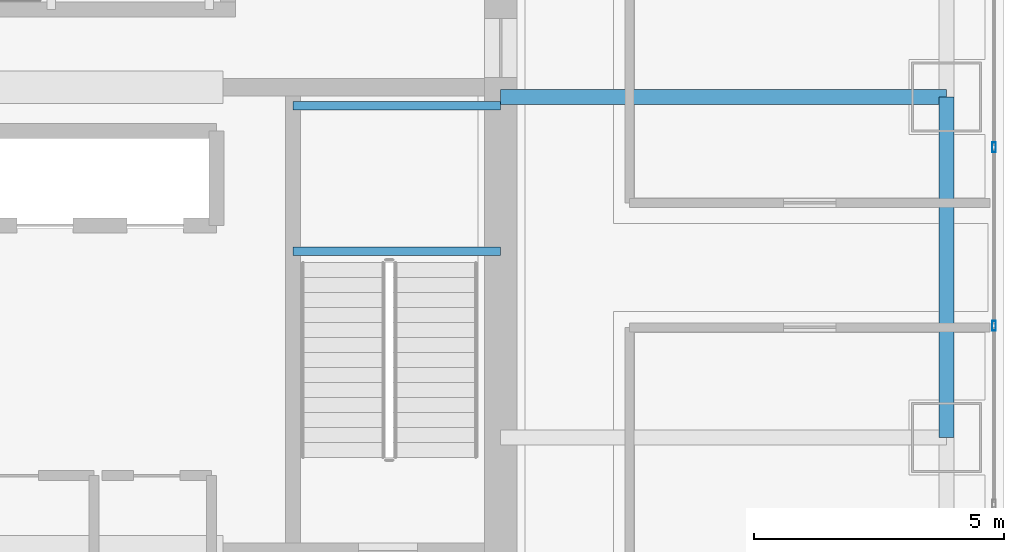
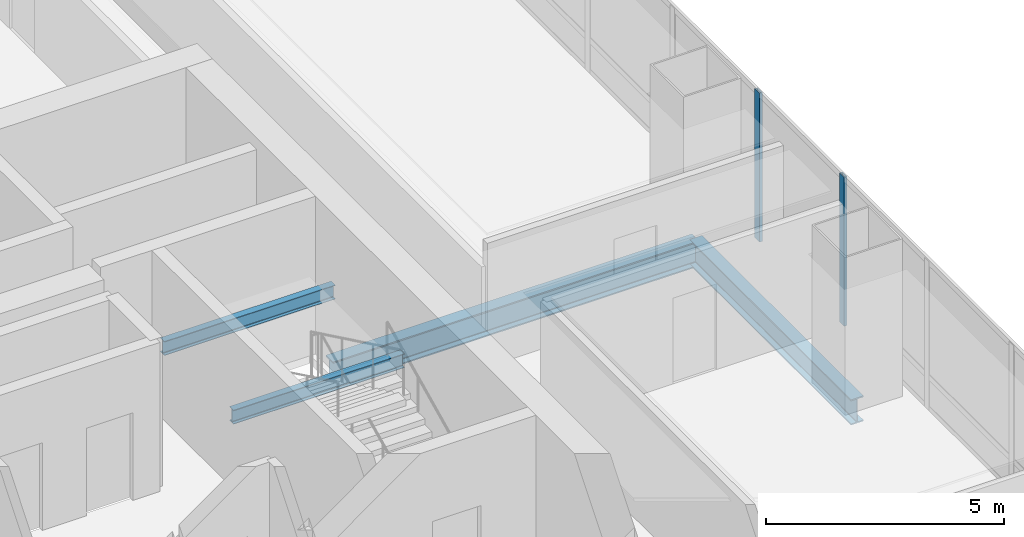
# One storey, part 16 of 38: 4 beams, 2 members, 1 element without a shape of its own.
"""IFC4 building model written with IfcOpenShell, lengths in metres."""

from ifc_helpers import new_model, si_unit, direction, frame, origin, origin_2d, place, context, subcontext, project, spatial, hollow_rectangle, i_section, extrude, material, material_profile, profile_set, type_object, element, aggregate, save


model = new_model("IFC4")

# Units and contexts
model_context = context("Model", 3, precision=1e-05, world=origin(), true_north=direction((0.0, 1.0)))
body_context = subcontext(model_context, "Body", "Model", "MODEL_VIEW")
ifc_project = project(units=[si_unit("LENGTHUNIT", "METRE"), si_unit("AREAUNIT", "SQUARE_METRE"), si_unit("VOLUMEUNIT", "CUBIC_METRE"), si_unit("PLANEANGLEUNIT", "RADIAN"), si_unit("MASSUNIT", "GRAM", prefix="KILO")], contexts=[model_context])

# Site, building, storey
site_placement = place(None, origin())
site = spatial("IfcSite", under=ifc_project, at=site_placement, CompositionType="ELEMENT")
building_placement = place(site_placement, origin())
building = spatial("IfcBuilding", under=site, at=building_placement, Name="Punatoya Terracotta Tower", CompositionType="ELEMENT")
storey_placement = place(building_placement, frame((0.0, 0.0, 156.0)))
storey = spatial("IfcBuildingStorey", under=building, at=storey_placement, Name="L36", CompositionType="ELEMENT", Elevation=156.0)

# Beams
ifc_material_1 = material(Name="Steel S355", Category="steel")
ifc_material_profile_1 = material_profile(ifc_material_1, i_section(OverallWidth=0.300048828125, OverallDepth=0.64990234375, WebThickness=0.01611328125, FlangeThickness=0.031005859375, FilletRadius=0.01806640625, at=origin_2d()))
ifc_profile_set_1 = profile_set([ifc_material_profile_1], Name="Steel S355")
beam_type_1 = type_object("IfcBeamType", Name="BM-PRI-650", PredefinedType="BEAM", material=ifc_profile_set_1)
beam_1_placement = place(storey_placement, frame((19.10009765625, -3.39990234375, -0.544921875), z_axis=(0.0, 1.0, 0.0), x_axis=(-1.0, 0.0, 0.0)))
element("IfcBeam", 1, at=beam_1_placement, inside=storey, type_object=beam_type_1, Name="BM-L36-RG-E2", PredefinedType="BEAM", context=body_context, shape_type="SweptSolid", body=[
    extrude(i_section(OverallWidth=0.300048828125, OverallDepth=0.64990234375, WebThickness=0.01611328125, FlangeThickness=0.031005859375, FilletRadius=0.01806640625, at=origin_2d()), origin(), (0.0, 0.0, 1.0), 6.7998046875),
])
beam_2_placement = place(storey_placement, frame((10.199951171875, 3.39990234375, -0.544921875), z_axis=(1.0, 0.0, 0.0), x_axis=(0.0, 1.0, 0.0)))
element("IfcBeam", 2, at=beam_2_placement, inside=storey, type_object=beam_type_1, Name="BM-L36-PR-EE", PredefinedType="BEAM", context=body_context, shape_type="SweptSolid", body=[
    extrude(i_section(OverallWidth=0.300048828125, OverallDepth=0.64990234375, WebThickness=0.01611328125, FlangeThickness=0.031005859375, FilletRadius=0.01806640625, at=origin_2d()), origin(), (0.0, 0.0, 1.0), 8.900146484375),
])
ifc_material_profile_2 = material_profile(ifc_material_1, i_section(OverallWidth=0.169921875, OverallDepth=0.360107421875, WebThickness=0.008056640625, FlangeThickness=0.0126953125, FilletRadius=0.01806640625, at=origin_2d()))
ifc_profile_set_2 = profile_set([ifc_material_profile_2], Name="Steel S355")
beam_type_2 = type_object("IfcBeamType", Name="BM-SEC-360", PredefinedType="JOIST", material=ifc_profile_set_2)
for number, where, z_axis, x_axis, name in (
    (3, (6.050048828125, 0.320068359375, 1.64501953125), (1.0, 0.0, 0.0), (0.0, 1.0, 0.0), "BM-L36-ST-2-LD1A"),
    (4, (6.050048828125, 3.22998046875, 1.64501953125), (1.0, 0.0, 0.0), (0.0, 1.0, 0.0), "BM-L36-ST-2-LD1B"),
):
    element("IfcBeam", number, at=place(storey_placement, frame(where, z_axis=z_axis, x_axis=x_axis)), inside=storey, type_object=beam_type_2, Name=name, PredefinedType="JOIST", context=body_context, shape_type="SweptSolid", body=[
        extrude(i_section(OverallWidth=0.169921875, OverallDepth=0.360107421875, WebThickness=0.008056640625, FlangeThickness=0.0126953125, FilletRadius=0.01806640625, at=origin_2d()), origin(), (0.0, 0.0, 1.0), 4.14990234375),
    ])

# Curtain wall, members
ifc_material_2 = material(Name="Aluminium 6063-T6 + Double Low-E Glass", Category="aluminium")
curtain_wall_type = type_object("IfcCurtainWallType", Name="CW-M2", PredefinedType="NOTDEFINED", material=ifc_material_2)
curtain_wall_placement = place(storey_placement, origin())
curtain_wall = element("IfcCurtainWall", 5, at=curtain_wall_placement, inside=storey, type_object=curtain_wall_type, Name="L36 Curtain Wall CW-L36-E05-1", PredefinedType="NOTDEFINED")
ifc_material_3 = material(Name="Aluminium 6063-T6", Category="aluminium")
ifc_material_profile_3 = material_profile(ifc_material_3, hollow_rectangle(XDim=0.072021484375, YDim=0.195068359375, WallThickness=0.00439453125, at=origin_2d()))
ifc_profile_set_3 = profile_set([ifc_material_profile_3], Name="Aluminium 6063-T6")
member_type = type_object("IfcMemberType", Name="CW-MUL-M2", PredefinedType="MULLION", material=ifc_profile_set_3)
member_1_placement = place(storey_placement, frame((20.050048828125, -1.16748046875, 0.0), z_axis=(0.0, 0.0, 1.0), x_axis=(1.0, 0.0, 0.0)))
member_1 = element("IfcMember", 6, at=member_1_placement, type_object=member_type, Name="CW-L36-E05-1 Mullion 04", PredefinedType="MULLION", context=body_context, shape_type="SweptSolid", body=[
    extrude(hollow_rectangle(XDim=0.072021484375, YDim=0.195068359375, WallThickness=0.00439453125, at=origin_2d()), origin(), (0.0, 0.0, 1.0), 3.830078125),
])
member_2_placement = place(storey_placement, frame((20.050048828125, 2.39990234375, 0.0), z_axis=(0.0, 0.0, 1.0), x_axis=(1.0, 0.0, 0.0)))
member_2 = element("IfcMember", 7, at=member_2_placement, type_object=member_type, Name="CW-L36-E05-1 Mullion 05", PredefinedType="MULLION", context=body_context, shape_type="SweptSolid", body=[
    extrude(hollow_rectangle(XDim=0.072021484375, YDim=0.195068359375, WallThickness=0.00439453125, at=origin_2d()), origin(), (0.0, 0.0, 1.0), 3.830078125),
])
aggregate(curtain_wall, [member_1, member_2])

save(model, "model.ifc")
